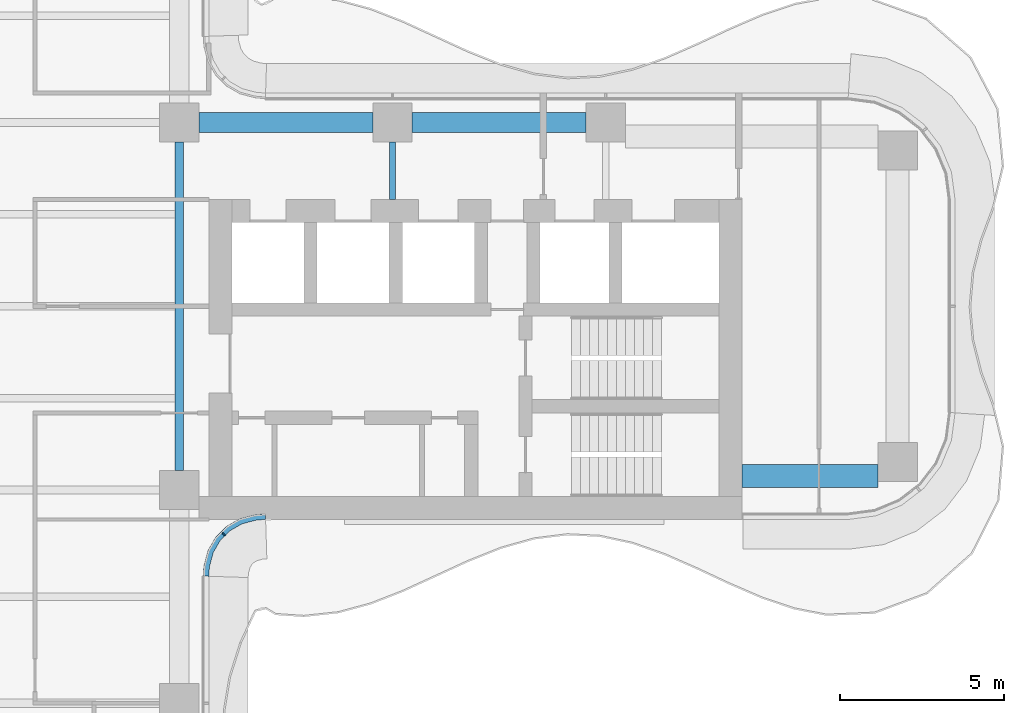
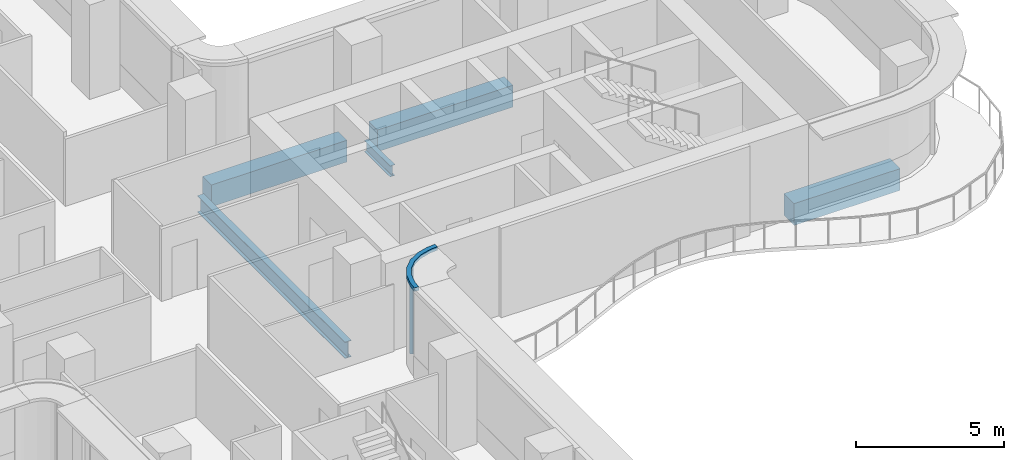
# One storey, part 5 of 18: 5 beams, 2 members, 1 element without a shape of its own.
"""IFC4 building model written with IfcOpenShell, lengths in metres."""

from ifc_helpers import new_model, si_unit, direction, frame, origin, origin_2d, place, context, subcontext, project, spatial, polyline, rectangle, i_section, outline, extrude, source, transform, mapped, material, layer, layer_set, material_profile, profile_set, type_object, element, aggregate, save


model = new_model("IFC4")

# Units and contexts
model_context = context("Model", 3, precision=1e-05, world=origin(), true_north=direction((0.0, 1.0)))
body_context = subcontext(model_context, "Body", "Model", "MODEL_VIEW")
ifc_project = project(units=[si_unit("LENGTHUNIT", "METRE"), si_unit("AREAUNIT", "SQUARE_METRE"), si_unit("VOLUMEUNIT", "CUBIC_METRE"), si_unit("PLANEANGLEUNIT", "RADIAN"), si_unit("MASSUNIT", "GRAM", prefix="KILO")], contexts=[model_context])

# Site, building, storey
site_placement = place(None, origin())
site = spatial("IfcSite", under=ifc_project, at=site_placement, CompositionType="ELEMENT")
building_placement = place(site_placement, origin())
building = spatial("IfcBuilding", under=site, at=building_placement, Name="Trellis Farm Tower", CompositionType="ELEMENT")
storey_placement = place(building_placement, frame((0.0, 0.0, 201.0)))
storey = spatial("IfcBuildingStorey", under=building, at=storey_placement, Name="L44", CompositionType="ELEMENT", Elevation=201.0)

# Beams
ifc_material_1 = material(Name="Concrete C60/75", Category="concrete")
ifc_material_profile_1 = material_profile(ifc_material_1, rectangle(XDim=0.60009765625, YDim=0.89990234375, at=origin_2d()), Name="RC spandrel beam 600x900 C60/75")
ifc_profile_set_1 = profile_set([ifc_material_profile_1], Name="Concrete C60/75")
beam_type_1 = type_object("IfcBeamType", Name="RC spandrel beam 600x900 C60/75", PredefinedType="SPANDREL", material=ifc_profile_set_1)
shared_shape_1 = source(origin(), body_context, "Body", "SweptSolid", [
    extrude(rectangle(XDim=0.60009765625, YDim=0.89990234375, at=origin_2d()), origin(), (0.0, 0.0, 1.0), 5.300048828125),
])
for number, where, z_axis, x_axis, name in (
    (1, (6.199951171875, 5.60009765625, -0.64990234375), (1.0, 0.0, 0.0), (0.0, 1.0, 0.0), "Girder"),
    (2, (12.699951171875, 5.60009765625, -0.64990234375), (1.0, 0.0, 0.0), (0.0, 1.0, 0.0), "Girder"),
):
    element("IfcBeam", number, at=place(storey_placement, frame(where, z_axis=z_axis, x_axis=x_axis)), inside=storey, type_object=beam_type_1, Name=name, PredefinedType="SPANDREL", context=body_context, shape_type="MappedRepresentation", body=[
        mapped(shared_shape_1, transform((0.0, 0.0, 0.0))),
    ])
ifc_material_2 = material(Name="Steel S355", Category="steel")
ifc_material_profile_2 = material_profile(ifc_material_2, i_section(OverallWidth=0.253662109375, OverallDepth=0.68359375, WebThickness=0.012451171875, FlangeThickness=0.021728515625, FilletRadius=0.01513671875, at=origin_2d()), Name="UB 686x254x140")
ifc_profile_set_2 = profile_set([ifc_material_profile_2], Name="Steel S355")
beam_type_2 = type_object("IfcBeamType", Name="UB 686x254x140", PredefinedType="BEAM", material=ifc_profile_set_2)
shared_shape_2 = source(origin(), body_context, "Body", "SweptSolid", [
    extrude(i_section(OverallWidth=0.253662109375, OverallDepth=0.68359375, WebThickness=0.012451171875, FlangeThickness=0.021728515625, FilletRadius=0.01513671875, at=origin_2d()), origin(), (0.0, 0.0, 1.0), 10.0),
])
beam_1_placement = place(storey_placement, frame((5.60009765625, -5.0, -0.541748046875), z_axis=(0.0, 1.0, 0.0), x_axis=(-1.0, 0.0, 0.0)))
element("IfcBeam", 3, at=beam_1_placement, inside=storey, type_object=beam_type_2, Name="Girder", PredefinedType="BEAM", context=body_context, shape_type="MappedRepresentation", body=[
    mapped(shared_shape_2, transform((0.0, 0.0, 0.0))),
])
ifc_material_profile_3 = material_profile(ifc_material_2, i_section(OverallWidth=0.1904296875, OverallDepth=0.45703125, WebThickness=0.009033203125, FlangeThickness=0.014404296875, FilletRadius=0.01025390625, at=origin_2d()), Name="UB 457x191x74")
ifc_profile_set_3 = profile_set([ifc_material_profile_3], Name="Steel S355")
beam_type_3 = type_object("IfcBeamType", Name="UB 457x191x74", PredefinedType="BEAM", material=ifc_profile_set_3)
shared_shape_3 = source(origin(), body_context, "Body", "SweptSolid", [
    extrude(i_section(OverallWidth=0.1904296875, OverallDepth=0.45703125, WebThickness=0.009033203125, FlangeThickness=0.014404296875, FilletRadius=0.01025390625, at=origin_2d()), origin(), (0.0, 0.0, 1.0), 1.75),
])
beam_2_placement = place(storey_placement, frame((12.10009765625, 3.25, -0.428466796875), z_axis=(0.0, 1.0, 0.0), x_axis=(-1.0, 0.0, 0.0)))
element("IfcBeam", 4, at=beam_2_placement, inside=storey, type_object=beam_type_3, Name="Girder", PredefinedType="BEAM", context=body_context, shape_type="MappedRepresentation", body=[
    mapped(shared_shape_3, transform((0.0, 0.0, 0.0))),
])
ifc_material_profile_4 = material_profile(ifc_material_1, rectangle(XDim=0.699951171875, YDim=0.89990234375, at=origin_2d()), Name="RC spandrel beam 700x900 C60/75")
ifc_profile_set_4 = profile_set([ifc_material_profile_4], Name="Concrete C60/75")
beam_type_4 = type_object("IfcBeamType", Name="RC spandrel beam 700x900 C60/75", PredefinedType="SPANDREL", material=ifc_profile_set_4)
shared_shape_4 = source(origin(), body_context, "Body", "SweptSolid", [
    extrude(rectangle(XDim=0.699951171875, YDim=0.89990234375, at=origin_2d()), origin(), (0.0, 0.0, 1.0), 4.14990234375),
])
beam_3_placement = place(storey_placement, frame((22.75, -5.175048828125, -0.64990234375), z_axis=(1.0, 0.0, 0.0), x_axis=(0.0, 1.0, 0.0)))
element("IfcBeam", 5, at=beam_3_placement, inside=storey, type_object=beam_type_4, Name="Girder", PredefinedType="SPANDREL", context=body_context, shape_type="MappedRepresentation", body=[
    mapped(shared_shape_4, transform((0.0, 0.0, 0.0))),
])

# Curtain wall, members
ifc_material_3 = material(Name="Aluminium and glass curtain wall", Category="aluminium")
ifc_layer_1 = layer(ifc_material_3, 0.166015625)
ifc_layer_set_1 = layer_set([ifc_layer_1], Name="WINTER GARDEN CURTAIN WALL CW3")
curtain_wall_type = type_object("IfcCurtainWallType", Name="WINTER GARDEN CURTAIN WALL CW3", PredefinedType="NOTDEFINED", material=ifc_layer_set_1)
curtain_wall_placement = place(storey_placement, origin())
curtain_wall = element("IfcCurtainWall", 6, at=curtain_wall_placement, inside=storey, type_object=curtain_wall_type, Name="CW3 002", PredefinedType="NOTDEFINED")
ifc_material_4 = material(Name="Aluminium extrusion 6063-T6", Category="aluminium")
ifc_layer_2 = layer(ifc_material_4, 0.169921875)
ifc_layer_set_2 = layer_set([ifc_layer_2], Name="Aluminium extrusion 6063-T6")
member_type_1 = type_object("IfcMemberType", Name="CW3 TRANSOM 170x150", PredefinedType="USERDEFINED", material=ifc_layer_set_2)
shared_shape_5 = source(origin(), body_context, "Body", "SweptSolid", [
    extrude(outline(polyline([(6.5, -8.2314453125), (6.513916015625, -8.01953125), (6.527587890625, -7.91552734375), (6.63671875, -7.508544921875), (6.846923828125, -7.144287109375), (7.144287109375, -6.846923828125), (7.508544921875, -6.63671875), (7.91552734375, -6.527587890625), (8.01953125, -6.513916015625), (8.2314453125, -6.5), (8.225830078125, -6.330078125), (8.0029296875, -6.3447265625), (7.88232421875, -6.360595703125), (7.44287109375, -6.478271484375), (7.0400390625, -6.7109375), (6.7109375, -7.0400390625), (6.478271484375, -7.44287109375), (6.360595703125, -7.88232421875), (6.3447265625, -8.0029296875), (6.330078125, -8.225830078125), (6.5, -8.2314453125)])), origin(), (0.0, 0.0, 1.0), 0.14990234375),
])
member_1_placement = place(storey_placement, frame((0.0, 0.0, 3.550048828125)))
member_1 = element("IfcMember", 7, at=member_1_placement, type_object=member_type_1, Name="TR3 002", ObjectType="TRANSOM", PredefinedType="USERDEFINED", context=body_context, shape_type="MappedRepresentation", body=[
    mapped(shared_shape_5, transform((0.0, 0.0, 0.0))),
])
ifc_material_profile_5 = material_profile(ifc_material_4, rectangle(XDim=0.050048828125, YDim=0.1201171875, at=origin_2d()), Name="MULLION 50x120")
ifc_profile_set_5 = profile_set([ifc_material_profile_5], Name="Aluminium extrusion 6063-T6")
member_type_2 = type_object("IfcMemberType", Name="CW3 MULLION 50x120", PredefinedType="MULLION", material=ifc_profile_set_5)
shared_shape_6 = source(origin(), body_context, "Body", "SweptSolid", [
    extrude(rectangle(XDim=0.050048828125, YDim=0.1201171875, at=origin_2d()), origin(), (0.0, 0.0, 1.0), 3.550048828125),
])
member_2_placement = place(storey_placement, frame((6.953125, -6.953125, 0.0), z_axis=(0.0, 0.0, 1.0), x_axis=(0.707106781187, 0.707106781187, 0.0)))
member_2 = element("IfcMember", 8, at=member_2_placement, type_object=member_type_2, Name="MU3 002-01", PredefinedType="MULLION", context=body_context, shape_type="MappedRepresentation", body=[
    mapped(shared_shape_6, transform((0.0, 0.0, 0.0))),
])
aggregate(curtain_wall, [member_2, member_1])

save(model, "model.ifc")
